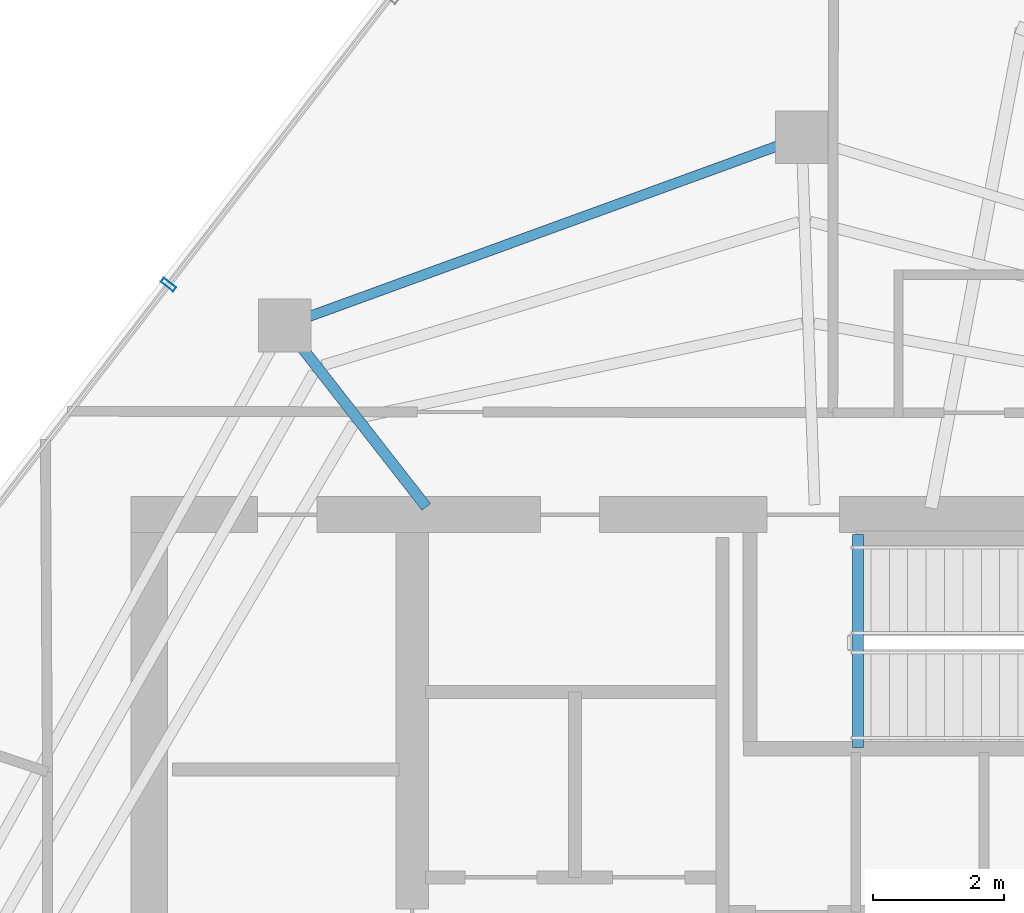
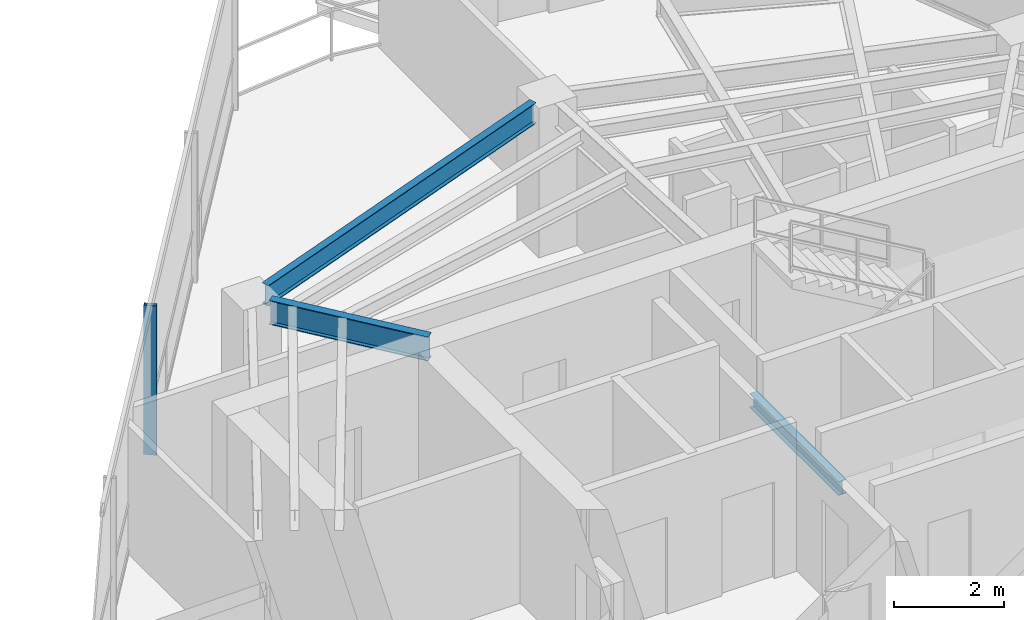
# One storey, part 8 of 19: 3 beams, 1 member, 1 element without a shape of its own.
"""IFC4 building model written with IfcOpenShell, lengths in metres."""

from ifc_helpers import new_model, si_unit, direction, frame, origin, origin_2d, place, context, subcontext, project, spatial, hollow_rectangle, i_section, extrude, material, layer, layer_set, material_profile, profile_set, type_object, element, aggregate, save


model = new_model("IFC4")

# Units and contexts
model_context = context("Model", 3, precision=1e-05, world=origin(), true_north=direction((0.0, 1.0)))
body_context = subcontext(model_context, "Body", "Model", "MODEL_VIEW")
ifc_project = project(units=[si_unit("LENGTHUNIT", "METRE"), si_unit("AREAUNIT", "SQUARE_METRE"), si_unit("VOLUMEUNIT", "CUBIC_METRE"), si_unit("PLANEANGLEUNIT", "RADIAN"), si_unit("MASSUNIT", "GRAM", prefix="KILO")], contexts=[model_context])

# Site, building, storey
site_placement = place(None, origin())
site = spatial("IfcSite", under=ifc_project, at=site_placement, CompositionType="ELEMENT")
building_placement = place(site_placement, origin())
building = spatial("IfcBuilding", under=site, at=building_placement, Name="Qarnah Convention Tower", CompositionType="ELEMENT")
storey_placement = place(building_placement, frame((0.0, 0.0, 264.300048828125)))
storey = spatial("IfcBuildingStorey", under=building, at=storey_placement, Name="L71", CompositionType="ELEMENT", Elevation=264.300048828125)

# Beams
ifc_material_1 = material(Name="Structural steel S355JR", Category="steel")
ifc_material_profile_1 = material_profile(ifc_material_1, i_section(OverallWidth=0.166015625, OverallDepth=0.31201171875, WebThickness=0.007080078125, FlangeThickness=0.010986328125, at=origin_2d()), Name="W310X45")
ifc_profile_set_1 = profile_set([ifc_material_profile_1], Name="Structural steel S355JR")
beam_type_1 = type_object("IfcBeamType", Name="BM-JST-W310", PredefinedType="JOIST", material=ifc_profile_set_1)
beam_1_placement = place(storey_placement, frame((37.5830078125, 30.659912109375, -0.156005859375), z_axis=(0.0, 1.0, 0.0), x_axis=(-1.0, 0.0, 0.0)))
element("IfcBeam", 1, at=beam_1_placement, inside=storey, type_object=beam_type_1, Name="L71 stair landing trimmer beam BM-L71-ST3-TRM", PredefinedType="BEAM", context=body_context, shape_type="SweptSolid", body=[
    extrude(i_section(OverallWidth=0.166015625, OverallDepth=0.31201171875, WebThickness=0.007080078125, FlangeThickness=0.010986328125, at=origin_2d()), origin(), (0.0, 0.0, 1.0), 3.239990234375),
])
ifc_material_profile_2 = material_profile(ifc_material_1, i_section(OverallWidth=0.166015625, OverallDepth=0.535888671875, WebThickness=0.010009765625, FlangeThickness=0.01708984375, at=origin_2d()), Name="W530X85")
ifc_profile_set_2 = profile_set([ifc_material_profile_2], Name="Structural steel S355JR")
beam_type_2 = type_object("IfcBeamType", Name="BM-RAD-W530B", PredefinedType="BEAM", material=ifc_profile_set_2)
beam_2_placement = place(storey_placement, frame((31.013916015625, 34.318115234375, 3.052001953125), z_axis=(-0.61549837076, 0.78813815768, 0.0), x_axis=(-0.78813815768, -0.61549837076, 0.0)))
element("IfcBeam", 2, at=beam_2_placement, inside=storey, type_object=beam_type_2, Name="L71 beam BM-L71-RAD-04", PredefinedType="BEAM", context=body_context, shape_type="SweptSolid", body=[
    extrude(i_section(OverallWidth=0.166015625, OverallDepth=0.535888671875, WebThickness=0.010009765625, FlangeThickness=0.01708984375, at=origin_2d()), origin(), (0.0, 0.0, 1.0), 3.12255859375),
])
ifc_material_profile_3 = material_profile(ifc_material_1, i_section(OverallWidth=0.154052734375, OverallDepth=0.4599609375, WebThickness=0.009033203125, FlangeThickness=0.014892578125, at=origin_2d()), Name="W460X68")
ifc_profile_set_3 = profile_set([ifc_material_profile_3], Name="Structural steel S355JR")
beam_type_3 = type_object("IfcBeamType", Name="BM-SPN-W460B", PredefinedType="SPANDREL", material=ifc_profile_set_3)
beam_3_placement = place(storey_placement, frame((36.361083984375, 39.80908203125, 3.08984375), z_axis=(-0.939671356419, -0.342078561044, 0.0), x_axis=(0.342078561044, -0.939671356419, 0.0)))
element("IfcBeam", 3, at=beam_3_placement, inside=storey, type_object=beam_type_3, Name="L71 spandrel BM-L71-SPN-03", PredefinedType="SPANDREL", context=body_context, shape_type="SweptSolid", body=[
    extrude(i_section(OverallWidth=0.154052734375, OverallDepth=0.4599609375, WebThickness=0.009033203125, FlangeThickness=0.014892578125, at=origin_2d()), origin(), (0.0, 0.0, 1.0), 7.59521484375),
])

# Curtain wall, member
ifc_material_2 = material(Name="Tempered Low-E dark glass", Category="glass")
ifc_layer = layer(ifc_material_2, 0.176025390625)
ifc_layer_set = layer_set([ifc_layer], Name="Tempered Low-E dark glass")
curtain_wall_type = type_object("IfcCurtainWallType", Name="CWS-05", PredefinedType="NOTDEFINED", material=ifc_layer_set)
curtain_wall_placement = place(storey_placement, origin())
curtain_wall = element("IfcCurtainWall", 4, at=curtain_wall_placement, inside=storey, type_object=curtain_wall_type, Name="L71 unitised curtain wall CW-L71-F2", PredefinedType="NOTDEFINED")
ifc_material_3 = material(Name="Black anodised aluminium", Category="aluminium")
ifc_material_profile_4 = material_profile(ifc_material_3, hollow_rectangle(XDim=0.080078125, YDim=0.239990234375, WallThickness=0.0048828125, at=origin_2d()), Name="MUL-80X240")
ifc_profile_set_4 = profile_set([ifc_material_profile_4], Name="Black anodised aluminium")
member_type = type_object("IfcMemberType", Name="MUL-T5", PredefinedType="MULLION", material=ifc_profile_set_4)
member_placement = place(storey_placement, frame((27.0908203125, 37.698486328125, 0.0), z_axis=(0.0, 0.0, 1.0), x_axis=(0.611290898886, 0.79140598743, 0.0)))
member = element("IfcMember", 5, at=member_placement, type_object=member_type, Name="CW-L71-F2 mullion 4", PredefinedType="MULLION", context=body_context, shape_type="SweptSolid", body=[
    extrude(hollow_rectangle(XDim=0.080078125, YDim=0.239990234375, WallThickness=0.0048828125, at=origin_2d()), origin(), (0.0, 0.0, 1.0), 3.320068359375),
])
aggregate(curtain_wall, [member])

save(model, "model.ifc")
